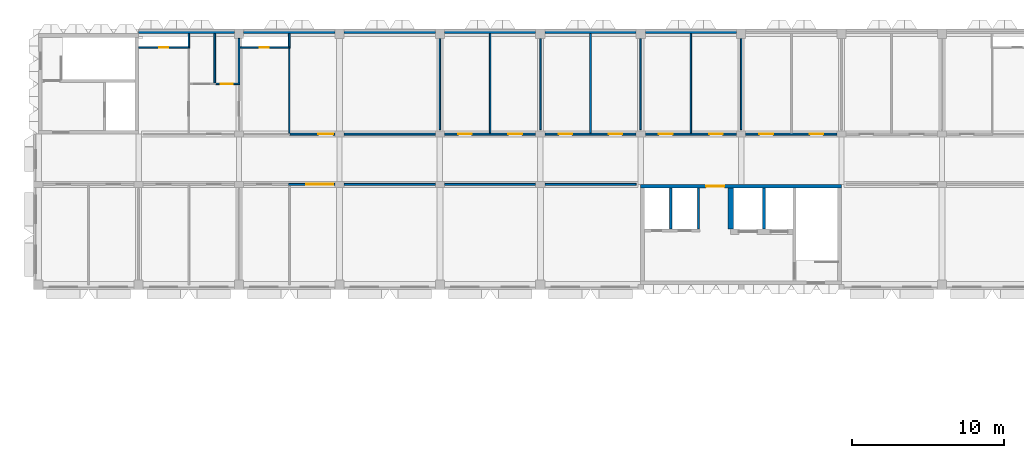
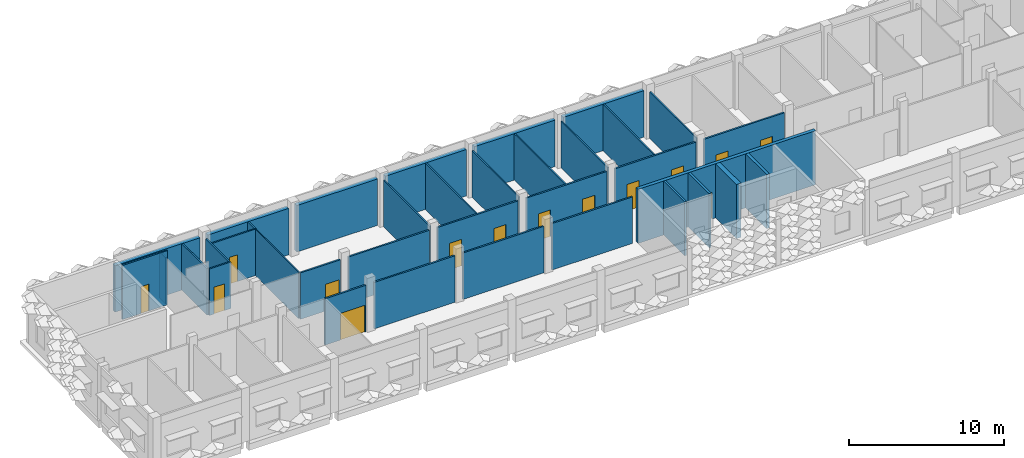
# One storey, part 33 of 85: 36 walls, 14 doors, 14 openings.
"""IFC4 building model written with IfcOpenShell, lengths in metres."""

from ifc_helpers import new_model, si_unit, direction, frame, frame_2d, origin, place, context, subcontext, project, spatial, rectangle, extrude, material, layer, layer_set, type_object, element, fill, save


model = new_model("IFC4")

# Units and contexts
model_context = context("Model", 3, precision=1e-05, world=origin(), true_north=direction((0.0, 1.0)))
body_context = subcontext(model_context, "Body", "Model", "MODEL_VIEW")
ifc_project = project(units=[si_unit("LENGTHUNIT", "METRE"), si_unit("AREAUNIT", "SQUARE_METRE"), si_unit("VOLUMEUNIT", "CUBIC_METRE"), si_unit("PLANEANGLEUNIT", "RADIAN"), si_unit("MASSUNIT", "GRAM", prefix="KILO")], contexts=[model_context])

# Site, building, storey
site_placement = place(None, origin())
site = spatial("IfcSite", under=ifc_project, at=site_placement, CompositionType="ELEMENT")
building_placement = place(site_placement, origin())
building = spatial("IfcBuilding", under=site, at=building_placement, Name="Lantern Court Research Institute", CompositionType="ELEMENT")
storey_placement = place(building_placement, frame((0.0, 0.0, 18.89990234375)))
storey = spatial("IfcBuildingStorey", under=building, at=storey_placement, Name="L04", CompositionType="ELEMENT", Elevation=18.89990234375)

# Walls
ifc_material_1 = material(Name="Gypsum board on metal studs")
ifc_layer_1 = layer(ifc_material_1, 0.10009765625)
ifc_layer_set_1 = layer_set([ifc_layer_1], Name="Gypsum board on metal studs")
wall_type_1 = type_object("IfcWallType", Name="Partition 100 mm", PredefinedType="PARTITIONING", material=ifc_layer_set_1)
wall_1_placement = place(storey_placement, frame((26.39990234375, 92.699951171875, 0.0), z_axis=(0.0, 0.0, 1.0), x_axis=(0.0, 1.0, 0.0)))
element("IfcWall", 1, at=wall_1_placement, inside=storey, type_object=wall_type_1, Name="Wall V6-L04-044", PredefinedType="PARTITIONING", context=body_context, shape_type="SweptSolid", body=[
    extrude(rectangle(XDim=6.0, YDim=0.10009765625, at=frame_2d((3.0, 0.0))), origin(), (0.0, 0.0, 1.0), 3.650146484375),
])
wall_2_placement = place(storey_placement, frame((29.699951171875, 92.462890625, 0.0), z_axis=(0.0, 0.0, 1.0), x_axis=(0.0, 1.0, 0.0)))
element("IfcWall", 2, at=wall_2_placement, inside=storey, type_object=wall_type_1, Name="Wall V6-L04-045", PredefinedType="PARTITIONING", context=body_context, shape_type="SweptSolid", body=[
    extrude(rectangle(XDim=6.537109375, YDim=0.10009765625, at=frame_2d((3.2685546875, 0.0))), origin(), (0.0, 0.0, 1.0), 3.650146484375),
])
wall_3_placement = place(storey_placement, frame((33.0, 92.699951171875, 0.0), z_axis=(0.0, 0.0, 1.0), x_axis=(0.0, 1.0, 0.0)))
element("IfcWall", 3, at=wall_3_placement, inside=storey, type_object=wall_type_1, Name="Wall V6-L04-046", PredefinedType="PARTITIONING", context=body_context, shape_type="SweptSolid", body=[
    extrude(rectangle(XDim=6.0, YDim=0.10009765625, at=frame_2d((3.0, 0.0))), origin(), (0.0, 0.0, 1.0), 3.650146484375),
])
wall_4_placement = place(storey_placement, frame((36.300048828125, 92.462890625, 0.0), z_axis=(0.0, 0.0, 1.0), x_axis=(0.0, 1.0, 0.0)))
element("IfcWall", 4, at=wall_4_placement, inside=storey, type_object=wall_type_1, Name="Wall V6-L04-047", PredefinedType="PARTITIONING", context=body_context, shape_type="SweptSolid", body=[
    extrude(rectangle(XDim=6.537109375, YDim=0.10009765625, at=frame_2d((3.2685546875, 0.0))), origin(), (0.0, 0.0, 1.0), 3.650146484375),
])
wall_5_placement = place(storey_placement, frame((39.60009765625, 92.699951171875, 0.0), z_axis=(0.0, 0.0, 1.0), x_axis=(0.0, 1.0, 0.0)))
element("IfcWall", 5, at=wall_5_placement, inside=storey, type_object=wall_type_1, Name="Wall V6-L04-048", PredefinedType="PARTITIONING", context=body_context, shape_type="SweptSolid", body=[
    extrude(rectangle(XDim=6.0, YDim=0.10009765625, at=frame_2d((3.0, 0.0))), origin(), (0.0, 0.0, 1.0), 3.650146484375),
])
wall_6_placement = place(storey_placement, frame((42.89990234375, 92.462890625, 0.0), z_axis=(0.0, 0.0, 1.0), x_axis=(0.0, 1.0, 0.0)))
element("IfcWall", 6, at=wall_6_placement, inside=storey, type_object=wall_type_1, Name="Wall V6-L04-049", PredefinedType="PARTITIONING", context=body_context, shape_type="SweptSolid", body=[
    extrude(rectangle(XDim=6.537109375, YDim=0.10009765625, at=frame_2d((3.2685546875, 0.0))), origin(), (0.0, 0.0, 1.0), 3.650146484375),
])
wall_7_placement = place(storey_placement, frame((46.199951171875, 92.699951171875, 0.0), z_axis=(0.0, 0.0, 1.0), x_axis=(0.0, 1.0, 0.0)))
element("IfcWall", 7, at=wall_7_placement, inside=storey, type_object=wall_type_1, Name="Wall V6-L04-050", PredefinedType="PARTITIONING", context=body_context, shape_type="SweptSolid", body=[
    extrude(rectangle(XDim=6.0, YDim=0.10009765625, at=frame_2d((3.0, 0.0))), origin(), (0.0, 0.0, 1.0), 3.650146484375),
])
ifc_material_2 = material(Name="Concrete C30/37", Category="concrete")
ifc_layer_2 = layer(ifc_material_2, 0.300048828125)
ifc_layer_set_2 = layer_set([ifc_layer_2], Name="Concrete C30/37")
wall_type_2 = type_object("IfcWallType", Name="Party wall 300 concrete EI 120", PredefinedType="STANDARD", material=ifc_layer_set_2)
wall_8_placement = place(storey_placement, frame((6.60009765625, 99.14990234375, 0.0), z_axis=(0.0, 0.0, 1.0), x_axis=(1.0, 0.0, 0.0)))
element("IfcWall", 8, at=wall_8_placement, inside=storey, type_object=wall_type_2, Name="Exterior wall EW205", PredefinedType="STANDARD", context=body_context, shape_type="SweptSolid", body=[
    extrude(rectangle(XDim=6.2998046875, YDim=0.300048828125, at=frame_2d((3.14990234375, 0.0))), origin(), (0.0, 0.0, 1.0), 3.650146484375),
])
for number, where, z_axis, x_axis, name in (
    (9, (13.5, 99.14990234375, 0.0), (0.0, 0.0, 1.0), (1.0, 0.0, 0.0), "Exterior wall EW206"),
    (10, (20.10009765625, 99.14990234375, 0.0), (0.0, 0.0, 1.0), (1.0, 0.0, 0.0), "Exterior wall EW207"),
    (11, (26.699951171875, 99.14990234375, 0.0), (0.0, 0.0, 1.0), (1.0, 0.0, 0.0), "Exterior wall EW208"),
    (12, (33.300048828125, 99.14990234375, 0.0), (0.0, 0.0, 1.0), (1.0, 0.0, 0.0), "Exterior wall EW209"),
    (13, (39.89990234375, 99.14990234375, 0.0), (0.0, 0.0, 1.0), (1.0, 0.0, 0.0), "Exterior wall EW210"),
):
    element("IfcWall", number, at=place(storey_placement, frame(where, z_axis=z_axis, x_axis=x_axis)), inside=storey, type_object=wall_type_2, Name=name, PredefinedType="STANDARD", context=body_context, shape_type="SweptSolid", body=[
        extrude(rectangle(XDim=6.0, YDim=0.300048828125, at=frame_2d((3.0, 0.0))), origin(), (0.0, 0.0, 1.0), 3.650146484375),
    ])

# Wall, opening, door
ifc_material_3 = material(Name="Gypsum board on metal studs")
ifc_layer_3 = layer(ifc_material_3, 0.125)
ifc_layer_set_3 = layer_set([ifc_layer_3], Name="Gypsum board on metal studs")
wall_type_3 = type_object("IfcWallType", Name="Protected corridor partition 125 mm EI 30", PredefinedType="PARTITIONING", material=ifc_layer_set_3)
wall_9_placement = place(storey_placement, frame((16.449951171875, 89.10009765625, 0.0), z_axis=(0.0, 0.0, 1.0), x_axis=(1.0, 0.0, 0.0)))
wall_9 = element("IfcWall", 14, at=wall_9_placement, inside=storey, type_object=wall_type_3, Name="Wall V6-L04-004", PredefinedType="PARTITIONING", context=body_context, shape_type="SweptSolid", body=[
    extrude(rectangle(XDim=3.050048828125, YDim=0.125, at=frame_2d((1.52490234375, 0.0))), origin(), (0.0, 0.0, 1.0), 3.650146484375),
])
opening_1_placement = place(wall_9_placement, frame((1.14990234375, 0.0, 0.0)))
opening_1 = element("IfcOpeningElement", 15, at=opening_1_placement, cuts=wall_9, Name="Opening D6406", PredefinedType="OPENING", context=body_context, shape_type="SweptSolid", body=[
    extrude(rectangle(XDim=1.800048828125, YDim=2.10009765625, at=frame_2d((0.89990234375, 1.050048828125))), frame((0.0, 0.072509765625, 0.0), z_axis=(0.0, -1.0, 0.0), x_axis=(1.0, 0.0, 0.0)), (0.0, 0.0, 1.0), 0.14501953125),
])
ifc_material_4 = material(Name="Timber veneered door leaf", Category="wood")
door_type_1 = type_object("IfcDoorType", Name="Door 1800 x 2100 reception pair FD30S", OperationType="DOUBLE_DOOR_SINGLE_SWING", PredefinedType="DOOR", material=ifc_material_4)
door_1_placement = place(opening_1_placement, origin())
door_1 = element("IfcDoor", 16, at=door_1_placement, inside=storey, type_object=door_type_1, Name="Door D6406", OperationType="DOUBLE_DOOR_SINGLE_SWING", OverallHeight=2.10009765625, OverallWidth=1.800048828125, PredefinedType="DOOR", context=body_context, shape_type="SweptSolid", body=[
    extrude(rectangle(XDim=1.800048828125, YDim=2.10009765625, at=frame_2d((0.89990234375, 1.050048828125))), frame((0.0, 0.02490234375, 0.0), z_axis=(0.0, -1.0, 0.0), x_axis=(1.0, 0.0, 0.0)), (0.0, 0.0, 1.0), 0.050048828125),
])
fill(opening_1, door_1)

# Walls
for number, where, z_axis, x_axis, name in (
    (17, (20.10009765625, 89.10009765625, 0.0), (0.0, 0.0, 1.0), (1.0, 0.0, 0.0), "Wall V6-L04-005"),
    (18, (26.699951171875, 89.10009765625, 0.0), (0.0, 0.0, 1.0), (1.0, 0.0, 0.0), "Wall V6-L04-006"),
    (19, (33.300048828125, 89.10009765625, 0.0), (0.0, 0.0, 1.0), (1.0, 0.0, 0.0), "Wall V6-L04-007"),
):
    element("IfcWall", number, at=place(storey_placement, frame(where, z_axis=z_axis, x_axis=x_axis)), inside=storey, type_object=wall_type_3, Name=name, PredefinedType="PARTITIONING", context=body_context, shape_type="SweptSolid", body=[
        extrude(rectangle(XDim=6.0, YDim=0.125, at=frame_2d((3.0, 0.0))), origin(), (0.0, 0.0, 1.0), 3.650146484375),
    ])

# Wall, opening, door
wall_10_placement = place(storey_placement, frame((16.5380859375, 92.39990234375, 0.0), z_axis=(0.0, 0.0, 1.0), x_axis=(1.0, 0.0, 0.0)))
wall_10 = element("IfcWall", 20, at=wall_10_placement, inside=storey, type_object=wall_type_3, Name="Wall V6-L04-014", PredefinedType="PARTITIONING", context=body_context, shape_type="SweptSolid", body=[
    extrude(rectangle(XDim=2.9619140625, YDim=0.125, at=frame_2d((1.48095703125, 0.0))), origin(), (0.0, 0.0, 1.0), 3.650146484375),
])
opening_2_placement = place(wall_10_placement, frame((1.862060546875, 0.0, 0.0)))
opening_2 = element("IfcOpeningElement", 21, at=opening_2_placement, cuts=wall_10, Name="Opening D6413", PredefinedType="OPENING", context=body_context, shape_type="SweptSolid", body=[
    extrude(rectangle(XDim=1.0, YDim=2.10009765625, at=frame_2d((0.5, 1.050048828125))), frame((0.0, 0.072509765625, 0.0), z_axis=(0.0, -1.0, 0.0), x_axis=(1.0, 0.0, 0.0)), (0.0, 0.0, 1.0), 0.14501953125),
])
ifc_material_5 = material(Name="Timber veneered door leaf", Category="wood")
door_type_2 = type_object("IfcDoorType", Name="Door 1000 x 2100 meeting room FD30S", OperationType="NOTDEFINED", PredefinedType="DOOR", material=ifc_material_5)
door_2_placement = place(opening_2_placement, origin())
door_2 = element("IfcDoor", 22, at=door_2_placement, inside=storey, type_object=door_type_2, Name="Door D6413", OperationType="SINGLE_SWING_LEFT", OverallHeight=2.10009765625, OverallWidth=1.0, PredefinedType="DOOR", context=body_context, shape_type="SweptSolid", body=[
    extrude(rectangle(XDim=1.0, YDim=2.10009765625, at=frame_2d((0.5, 1.050048828125))), frame((0.0, 0.02490234375, 0.0), z_axis=(0.0, -1.0, 0.0), x_axis=(1.0, 0.0, 0.0)), (0.0, 0.0, 1.0), 0.050048828125),
])
fill(opening_2, door_2)

# Wall
wall_11_placement = place(storey_placement, frame((20.10009765625, 92.39990234375, 0.0), z_axis=(0.0, 0.0, 1.0), x_axis=(1.0, 0.0, 0.0)))
element("IfcWall", 23, at=wall_11_placement, inside=storey, type_object=wall_type_3, Name="Wall V6-L04-015", PredefinedType="PARTITIONING", context=body_context, shape_type="SweptSolid", body=[
    extrude(rectangle(XDim=6.0, YDim=0.125, at=frame_2d((3.0, 0.0))), origin(), (0.0, 0.0, 1.0), 3.650146484375),
])

# Wall, openings, doors
wall_12_placement = place(storey_placement, frame((26.699951171875, 92.39990234375, 0.0), z_axis=(0.0, 0.0, 1.0), x_axis=(1.0, 0.0, 0.0)))
wall_12 = element("IfcWall", 24, at=wall_12_placement, inside=storey, type_object=wall_type_3, Name="Wall V6-L04-016", PredefinedType="PARTITIONING", context=body_context, shape_type="SweptSolid", body=[
    extrude(rectangle(XDim=6.0, YDim=0.125, at=frame_2d((3.0, 0.0))), origin(), (0.0, 0.0, 1.0), 3.650146484375),
])
opening_3_placement = place(wall_12_placement, frame((0.89990234375, 0.0, 0.0)))
opening_3 = element("IfcOpeningElement", 25, at=opening_3_placement, cuts=wall_12, Name="Opening D6414", PredefinedType="OPENING", context=body_context, shape_type="SweptSolid", body=[
    extrude(rectangle(XDim=0.89990234375, YDim=2.10009765625, at=frame_2d((0.449951171875, 1.050048828125))), frame((0.0, 0.072509765625, 0.0), z_axis=(0.0, -1.0, 0.0), x_axis=(1.0, 0.0, 0.0)), (0.0, 0.0, 1.0), 0.14501953125),
])
opening_4_placement = place(wall_12_placement, frame((4.199951171875, 0.0, 0.0)))
opening_4 = element("IfcOpeningElement", 26, at=opening_4_placement, cuts=wall_12, Name="Opening D6415", PredefinedType="OPENING", context=body_context, shape_type="SweptSolid", body=[
    extrude(rectangle(XDim=0.89990234375, YDim=2.10009765625, at=frame_2d((0.449951171875, 1.050048828125))), frame((0.0, 0.072509765625, 0.0), z_axis=(0.0, -1.0, 0.0), x_axis=(1.0, 0.0, 0.0)), (0.0, 0.0, 1.0), 0.14501953125),
])
ifc_material_6 = material(Name="Timber veneered door leaf", Category="wood")
door_type_3 = type_object("IfcDoorType", Name="Door 900 x 2100 timber FD30S", OperationType="NOTDEFINED", PredefinedType="DOOR", material=ifc_material_6)
door_3_placement = place(opening_3_placement, origin())
door_3 = element("IfcDoor", 27, at=door_3_placement, inside=storey, type_object=door_type_3, Name="Door D6414", OperationType="SINGLE_SWING_RIGHT", OverallHeight=2.10009765625, OverallWidth=0.89990234375, PredefinedType="DOOR", context=body_context, shape_type="SweptSolid", body=[
    extrude(rectangle(XDim=0.89990234375, YDim=2.10009765625, at=frame_2d((0.449951171875, 1.050048828125))), frame((0.0, 0.02490234375, 0.0), z_axis=(0.0, -1.0, 0.0), x_axis=(1.0, 0.0, 0.0)), (0.0, 0.0, 1.0), 0.050048828125),
])
fill(opening_3, door_3)
door_4_placement = place(opening_4_placement, origin())
door_4 = element("IfcDoor", 28, at=door_4_placement, inside=storey, type_object=door_type_3, Name="Door D6415", OperationType="SINGLE_SWING_RIGHT", OverallHeight=2.10009765625, OverallWidth=0.89990234375, PredefinedType="DOOR", context=body_context, shape_type="SweptSolid", body=[
    extrude(rectangle(XDim=0.89990234375, YDim=2.10009765625, at=frame_2d((0.449951171875, 1.050048828125))), frame((0.0, 0.02490234375, 0.0), z_axis=(0.0, -1.0, 0.0), x_axis=(1.0, 0.0, 0.0)), (0.0, 0.0, 1.0), 0.050048828125),
])
fill(opening_4, door_4)

wall_13_placement = place(storey_placement, frame((33.300048828125, 92.39990234375, 0.0), z_axis=(0.0, 0.0, 1.0), x_axis=(1.0, 0.0, 0.0)))
wall_13 = element("IfcWall", 29, at=wall_13_placement, inside=storey, type_object=wall_type_3, Name="Wall V6-L04-017", PredefinedType="PARTITIONING", context=body_context, shape_type="SweptSolid", body=[
    extrude(rectangle(XDim=6.0, YDim=0.125, at=frame_2d((3.0, 0.0))), origin(), (0.0, 0.0, 1.0), 3.650146484375),
])
opening_5_placement = place(wall_13_placement, frame((0.89990234375, 0.0, 0.0)))
opening_5 = element("IfcOpeningElement", 30, at=opening_5_placement, cuts=wall_13, Name="Opening D6416", PredefinedType="OPENING", context=body_context, shape_type="SweptSolid", body=[
    extrude(rectangle(XDim=0.89990234375, YDim=2.10009765625, at=frame_2d((0.449951171875, 1.050048828125))), frame((0.0, 0.072509765625, 0.0), z_axis=(0.0, -1.0, 0.0), x_axis=(1.0, 0.0, 0.0)), (0.0, 0.0, 1.0), 0.14501953125),
])
opening_6_placement = place(wall_13_placement, frame((4.199951171875, 0.0, 0.0)))
opening_6 = element("IfcOpeningElement", 31, at=opening_6_placement, cuts=wall_13, Name="Opening D6417", PredefinedType="OPENING", context=body_context, shape_type="SweptSolid", body=[
    extrude(rectangle(XDim=0.89990234375, YDim=2.10009765625, at=frame_2d((0.449951171875, 1.050048828125))), frame((0.0, 0.072509765625, 0.0), z_axis=(0.0, -1.0, 0.0), x_axis=(1.0, 0.0, 0.0)), (0.0, 0.0, 1.0), 0.14501953125),
])
door_5_placement = place(opening_5_placement, origin())
door_5 = element("IfcDoor", 32, at=door_5_placement, inside=storey, type_object=door_type_3, Name="Door D6416", OperationType="SINGLE_SWING_LEFT", OverallHeight=2.10009765625, OverallWidth=0.89990234375, PredefinedType="DOOR", context=body_context, shape_type="SweptSolid", body=[
    extrude(rectangle(XDim=0.89990234375, YDim=2.10009765625, at=frame_2d((0.449951171875, 1.050048828125))), frame((0.0, 0.02490234375, 0.0), z_axis=(0.0, -1.0, 0.0), x_axis=(1.0, 0.0, 0.0)), (0.0, 0.0, 1.0), 0.050048828125),
])
fill(opening_5, door_5)
door_6_placement = place(opening_6_placement, origin())
door_6 = element("IfcDoor", 33, at=door_6_placement, inside=storey, type_object=door_type_3, Name="Door D6417", OperationType="SINGLE_SWING_RIGHT", OverallHeight=2.10009765625, OverallWidth=0.89990234375, PredefinedType="DOOR", context=body_context, shape_type="SweptSolid", body=[
    extrude(rectangle(XDim=0.89990234375, YDim=2.10009765625, at=frame_2d((0.449951171875, 1.050048828125))), frame((0.0, 0.02490234375, 0.0), z_axis=(0.0, -1.0, 0.0), x_axis=(1.0, 0.0, 0.0)), (0.0, 0.0, 1.0), 0.050048828125),
])
fill(opening_6, door_6)

wall_14_placement = place(storey_placement, frame((39.89990234375, 92.39990234375, 0.0), z_axis=(0.0, 0.0, 1.0), x_axis=(1.0, 0.0, 0.0)))
wall_14 = element("IfcWall", 34, at=wall_14_placement, inside=storey, type_object=wall_type_3, Name="Wall V6-L04-018", PredefinedType="PARTITIONING", context=body_context, shape_type="SweptSolid", body=[
    extrude(rectangle(XDim=6.0, YDim=0.125, at=frame_2d((3.0, 0.0))), origin(), (0.0, 0.0, 1.0), 3.650146484375),
])
opening_7_placement = place(wall_14_placement, frame((0.89990234375, 0.0, 0.0)))
opening_7 = element("IfcOpeningElement", 35, at=opening_7_placement, cuts=wall_14, Name="Opening D6418", PredefinedType="OPENING", context=body_context, shape_type="SweptSolid", body=[
    extrude(rectangle(XDim=0.89990234375, YDim=2.10009765625, at=frame_2d((0.449951171875, 1.050048828125))), frame((0.0, 0.072509765625, 0.0), z_axis=(0.0, -1.0, 0.0), x_axis=(1.0, 0.0, 0.0)), (0.0, 0.0, 1.0), 0.14501953125),
])
opening_8_placement = place(wall_14_placement, frame((4.199951171875, 0.0, 0.0)))
opening_8 = element("IfcOpeningElement", 36, at=opening_8_placement, cuts=wall_14, Name="Opening D6419", PredefinedType="OPENING", context=body_context, shape_type="SweptSolid", body=[
    extrude(rectangle(XDim=0.89990234375, YDim=2.10009765625, at=frame_2d((0.449951171875, 1.050048828125))), frame((0.0, 0.072509765625, 0.0), z_axis=(0.0, -1.0, 0.0), x_axis=(1.0, 0.0, 0.0)), (0.0, 0.0, 1.0), 0.14501953125),
])
door_7_placement = place(opening_7_placement, origin())
door_7 = element("IfcDoor", 37, at=door_7_placement, inside=storey, type_object=door_type_3, Name="Door D6418", OperationType="SINGLE_SWING_LEFT", OverallHeight=2.10009765625, OverallWidth=0.89990234375, PredefinedType="DOOR", context=body_context, shape_type="SweptSolid", body=[
    extrude(rectangle(XDim=0.89990234375, YDim=2.10009765625, at=frame_2d((0.449951171875, 1.050048828125))), frame((0.0, 0.02490234375, 0.0), z_axis=(0.0, -1.0, 0.0), x_axis=(1.0, 0.0, 0.0)), (0.0, 0.0, 1.0), 0.050048828125),
])
fill(opening_7, door_7)
door_8_placement = place(opening_8_placement, origin())
door_8 = element("IfcDoor", 38, at=door_8_placement, inside=storey, type_object=door_type_3, Name="Door D6419", OperationType="SINGLE_SWING_LEFT", OverallHeight=2.10009765625, OverallWidth=0.89990234375, PredefinedType="DOOR", context=body_context, shape_type="SweptSolid", body=[
    extrude(rectangle(XDim=0.89990234375, YDim=2.10009765625, at=frame_2d((0.449951171875, 1.050048828125))), frame((0.0, 0.02490234375, 0.0), z_axis=(0.0, -1.0, 0.0), x_axis=(1.0, 0.0, 0.0)), (0.0, 0.0, 1.0), 0.050048828125),
])
fill(opening_8, door_8)

wall_15_placement = place(storey_placement, frame((46.5, 92.39990234375, 0.0), z_axis=(0.0, 0.0, 1.0), x_axis=(1.0, 0.0, 0.0)))
wall_15 = element("IfcWall", 39, at=wall_15_placement, inside=storey, type_object=wall_type_3, Name="Wall V6-L04-019", PredefinedType="PARTITIONING", context=body_context, shape_type="SweptSolid", body=[
    extrude(rectangle(XDim=6.0, YDim=0.125, at=frame_2d((3.0, 0.0))), origin(), (0.0, 0.0, 1.0), 3.650146484375),
])
opening_9_placement = place(wall_15_placement, frame((0.89990234375, 0.0, 0.0)))
opening_9 = element("IfcOpeningElement", 40, at=opening_9_placement, cuts=wall_15, Name="Opening D6420", PredefinedType="OPENING", context=body_context, shape_type="SweptSolid", body=[
    extrude(rectangle(XDim=0.89990234375, YDim=2.10009765625, at=frame_2d((0.449951171875, 1.050048828125))), frame((0.0, 0.072509765625, 0.0), z_axis=(0.0, -1.0, 0.0), x_axis=(1.0, 0.0, 0.0)), (0.0, 0.0, 1.0), 0.14501953125),
])
opening_10_placement = place(wall_15_placement, frame((4.199951171875, 0.0, 0.0)))
opening_10 = element("IfcOpeningElement", 41, at=opening_10_placement, cuts=wall_15, Name="Opening D6421", PredefinedType="OPENING", context=body_context, shape_type="SweptSolid", body=[
    extrude(rectangle(XDim=0.89990234375, YDim=2.10009765625, at=frame_2d((0.449951171875, 1.050048828125))), frame((0.0, 0.072509765625, 0.0), z_axis=(0.0, -1.0, 0.0), x_axis=(1.0, 0.0, 0.0)), (0.0, 0.0, 1.0), 0.14501953125),
])
door_9_placement = place(opening_9_placement, origin())
door_9 = element("IfcDoor", 42, at=door_9_placement, inside=storey, type_object=door_type_3, Name="Door D6420", OperationType="SINGLE_SWING_LEFT", OverallHeight=2.10009765625, OverallWidth=0.89990234375, PredefinedType="DOOR", context=body_context, shape_type="SweptSolid", body=[
    extrude(rectangle(XDim=0.89990234375, YDim=2.10009765625, at=frame_2d((0.449951171875, 1.050048828125))), frame((0.0, 0.02490234375, 0.0), z_axis=(0.0, -1.0, 0.0), x_axis=(1.0, 0.0, 0.0)), (0.0, 0.0, 1.0), 0.050048828125),
])
fill(opening_9, door_9)
door_10_placement = place(opening_10_placement, origin())
door_10 = element("IfcDoor", 43, at=door_10_placement, inside=storey, type_object=door_type_3, Name="Door D6421", OperationType="SINGLE_SWING_LEFT", OverallHeight=2.10009765625, OverallWidth=0.89990234375, PredefinedType="DOOR", context=body_context, shape_type="SweptSolid", body=[
    extrude(rectangle(XDim=0.89990234375, YDim=2.10009765625, at=frame_2d((0.449951171875, 1.050048828125))), frame((0.0, 0.02490234375, 0.0), z_axis=(0.0, -1.0, 0.0), x_axis=(1.0, 0.0, 0.0)), (0.0, 0.0, 1.0), 0.050048828125),
])
fill(opening_10, door_10)

# Wall, opening, door
ifc_material_7 = material(Name="Concrete C40/50", Category="concrete")
ifc_layer_4 = layer(ifc_material_7, 0.25)
ifc_layer_set_4 = layer_set([ifc_layer_4], Name="Concrete C40/50")
wall_type_4 = type_object("IfcWallType", Name="RC core wall 250", PredefinedType="SHEAR", material=ifc_layer_set_4)
wall_16_placement = place(storey_placement, frame((52.800048828125, 88.97509765625, 0.0), z_axis=(0.0, 0.0, 1.0), x_axis=(-1.0, 0.0, 0.0)))
wall_16 = element("IfcWall", 44, at=wall_16_placement, inside=storey, type_object=wall_type_4, Name="North wall of core WC-M", PredefinedType="SHEAR", context=body_context, shape_type="SweptSolid", body=[
    extrude(rectangle(XDim=13.199951171875, YDim=0.25, at=frame_2d((6.60009765625, 0.0))), origin(), (0.0, 0.0, 1.0), 4.25),
])
opening_11_placement = place(wall_16_placement, frame((7.699951171875, 0.0, 0.0)))
opening_11 = element("IfcOpeningElement", 45, at=opening_11_placement, cuts=wall_16, Name="Opening D7248", PredefinedType="OPENING", context=body_context, shape_type="SweptSolid", body=[
    extrude(rectangle(XDim=1.199951171875, YDim=2.10009765625, at=frame_2d((0.60009765625, 1.050048828125))), frame((0.0, 0.135009765625, 0.0), z_axis=(0.0, -1.0, 0.0), x_axis=(1.0, 0.0, 0.0)), (0.0, 0.0, 1.0), 0.27001953125),
])
ifc_material_8 = material(Name="Steel fire door leaf with smoke seals", Category="steel")
door_type_4 = type_object("IfcDoorType", Name="Door 1200 x 2100 fire rated FD60S", OperationType="NOTDEFINED", PredefinedType="DOOR", material=ifc_material_8)
door_11_placement = place(opening_11_placement, origin())
door_11 = element("IfcDoor", 46, at=door_11_placement, inside=storey, type_object=door_type_4, Name="Lobby door", OperationType="SINGLE_SWING_RIGHT", OverallHeight=2.10009765625, OverallWidth=1.199951171875, PredefinedType="DOOR", context=body_context, shape_type="SweptSolid", body=[
    extrude(rectangle(XDim=1.199951171875, YDim=2.10009765625, at=frame_2d((0.60009765625, 1.050048828125))), frame((0.0, 0.02490234375, 0.0), z_axis=(0.0, -1.0, 0.0), x_axis=(1.0, 0.0, 0.0)), (0.0, 0.0, 1.0), 0.050048828125),
])
fill(opening_11, door_11)

# Walls
ifc_material_9 = material(Name="Concrete C40/50", Category="concrete")
ifc_layer_5 = layer(ifc_material_9, 0.14990234375)
ifc_layer_set_5 = layer_set([ifc_layer_5], Name="Concrete C40/50")
wall_type_5 = type_object("IfcWallType", Name="RC shaft wall 150", PredefinedType="SHEAR", material=ifc_layer_set_5)
for number, where, z_axis, x_axis, name in (
    (47, (43.39990234375, 88.85009765625, 0.0), (0.0, 0.0, 1.0), (0.0, -1.0, 0.0), "Riser wall of core WC-M"),
    (48, (41.574951171875, 88.85009765625, 0.0), (0.0, 0.0, 1.0), (0.0, -1.0, 0.0), "Riser wall of core WC-M"),
):
    element("IfcWall", number, at=place(storey_placement, frame(where, z_axis=z_axis, x_axis=x_axis)), inside=storey, type_object=wall_type_5, Name=name, PredefinedType="SHEAR", context=body_context, shape_type="SweptSolid", body=[
        extrude(rectangle(XDim=2.7001953125, YDim=0.14990234375, at=frame_2d((1.35009765625, 0.0))), origin(), (0.0, 0.0, 1.0), 4.25),
    ])
ifc_material_10 = material(Name="Concrete C40/50", Category="concrete")
ifc_layer_6 = layer(ifc_material_10, 0.199951171875)
ifc_layer_set_6 = layer_set([ifc_layer_6], Name="Concrete C40/50")
wall_type_6 = type_object("IfcWallType", Name="RC shaft wall 200", PredefinedType="SHEAR", material=ifc_layer_set_6)
wall_17_placement = place(storey_placement, frame((47.699951171875, 88.85009765625, 0.0), z_axis=(0.0, 0.0, 1.0), x_axis=(0.0, -1.0, 0.0)))
element("IfcWall", 49, at=wall_17_placement, inside=storey, type_object=wall_type_6, Name="Lift shaft wall of core WC-M", PredefinedType="SHEAR", context=body_context, shape_type="SweptSolid", body=[
    extrude(rectangle(XDim=2.7001953125, YDim=0.199951171875, at=frame_2d((1.35009765625, 0.0))), origin(), (0.0, 0.0, 1.0), 4.25),
])
ifc_material_11 = material(Name="Concrete C40/50", Category="concrete")
ifc_layer_7 = layer(ifc_material_11, 0.35009765625)
ifc_layer_set_7 = layer_set([ifc_layer_7], Name="Concrete C40/50")
wall_type_7 = type_object("IfcWallType", Name="RC shaft wall 350", PredefinedType="SHEAR", material=ifc_layer_set_7)
wall_18_placement = place(storey_placement, frame((45.52490234375, 88.85009765625, 0.0), z_axis=(0.0, 0.0, 1.0), x_axis=(0.0, -1.0, 0.0)))
element("IfcWall", 50, at=wall_18_placement, inside=storey, type_object=wall_type_7, Name="Lift shaft wall of core WC-M", PredefinedType="SHEAR", context=body_context, shape_type="SweptSolid", body=[
    extrude(rectangle(XDim=2.7001953125, YDim=0.35009765625, at=frame_2d((1.35009765625, 0.0))), origin(), (0.0, 0.0, 1.0), 4.25),
])

# Wall, opening, door
ifc_material_12 = material(Name="Fire-rated gypsum board on metal studs")
ifc_layer_8 = layer(ifc_material_12, 0.110107421875)
ifc_layer_set_8 = layer_set([ifc_layer_8], Name="Fire-rated gypsum board on metal studs")
wall_type_8 = type_object("IfcWallType", Name="Riser wall 110 mm EI 60", PredefinedType="PARTITIONING", material=ifc_layer_set_8)
wall_19_placement = place(storey_placement, frame((11.655029296875, 95.699951171875, 0.0), z_axis=(0.0, 0.0, 1.0), x_axis=(1.0, 0.0, 0.0)))
wall_19 = element("IfcWall", 51, at=wall_19_placement, inside=storey, type_object=wall_type_8, Name="Wall V6-L04-025", PredefinedType="PARTITIONING", context=body_context, shape_type="SweptSolid", body=[
    extrude(rectangle(XDim=1.599853515625, YDim=0.110107421875, at=frame_2d((0.7998046875, 0.0))), origin(), (0.0, 0.0, 1.0), 3.650146484375),
])
opening_12_placement = place(wall_19_placement, frame((0.344970703125, 0.0, 0.0)))
opening_12 = element("IfcOpeningElement", 52, at=opening_12_placement, cuts=wall_19, Name="Opening D6427", PredefinedType="OPENING", context=body_context, shape_type="SweptSolid", body=[
    extrude(rectangle(XDim=0.800048828125, YDim=2.10009765625, at=frame_2d((0.39990234375, 1.050048828125))), frame((0.0, 0.06494140625, 0.0), z_axis=(0.0, -1.0, 0.0), x_axis=(1.0, 0.0, 0.0)), (0.0, 0.0, 1.0), 0.130126953125),
])
ifc_material_13 = material(Name="Coated metal door leaf")
door_type_5 = type_object("IfcDoorType", Name="Door 800 x 2100 cleaners store FD60", OperationType="NOTDEFINED", PredefinedType="DOOR", material=ifc_material_13)
door_12_placement = place(opening_12_placement, origin())
door_12 = element("IfcDoor", 53, at=door_12_placement, inside=storey, type_object=door_type_5, Name="Door D6427", OperationType="SINGLE_SWING_RIGHT", OverallHeight=2.10009765625, OverallWidth=0.800048828125, PredefinedType="DOOR", context=body_context, shape_type="SweptSolid", body=[
    extrude(rectangle(XDim=0.800048828125, YDim=2.10009765625, at=frame_2d((0.39990234375, 1.050048828125))), frame((0.0, 0.02490234375, 0.0), z_axis=(0.0, -1.0, 0.0), x_axis=(1.0, 0.0, 0.0)), (0.0, 0.0, 1.0), 0.050048828125),
])
fill(opening_12, door_12)

wall_20_placement = place(storey_placement, frame((9.955078125, 98.10009765625, 0.0), z_axis=(0.0, 0.0, 1.0), x_axis=(-1.0, 0.0, 0.0)))
wall_20 = element("IfcWall", 54, at=wall_20_placement, inside=storey, type_object=wall_type_8, Name="Wall V6-L04-028", PredefinedType="PARTITIONING", context=body_context, shape_type="SweptSolid", body=[
    extrude(rectangle(XDim=3.35498046875, YDim=0.110107421875, at=frame_2d((1.677490234375, 0.0))), origin(), (0.0, 0.0, 1.0), 4.25),
])
opening_13_placement = place(wall_20_placement, frame((1.405029296875, 0.0, 0.0)))
opening_13 = element("IfcOpeningElement", 55, at=opening_13_placement, cuts=wall_20, Name="Opening D6430", PredefinedType="OPENING", context=body_context, shape_type="SweptSolid", body=[
    extrude(rectangle(XDim=0.60009765625, YDim=2.10009765625, at=frame_2d((0.300048828125, 1.050048828125))), frame((0.0, 0.06494140625, 0.0), z_axis=(0.0, -1.0, 0.0), x_axis=(1.0, 0.0, 0.0)), (0.0, 0.0, 1.0), 0.130126953125),
])
ifc_material_14 = material(Name="Coated metal door leaf")
door_type_6 = type_object("IfcDoorType", Name="Door 600 x 2100 riser FD60", OperationType="NOTDEFINED", PredefinedType="DOOR", material=ifc_material_14)
door_13_placement = place(opening_13_placement, origin())
door_13 = element("IfcDoor", 56, at=door_13_placement, inside=storey, type_object=door_type_6, Name="Door D6430", OperationType="SINGLE_SWING_RIGHT", OverallHeight=2.10009765625, OverallWidth=0.60009765625, PredefinedType="DOOR", context=body_context, shape_type="SweptSolid", body=[
    extrude(rectangle(XDim=0.60009765625, YDim=2.10009765625, at=frame_2d((0.300048828125, 1.050048828125))), frame((0.0, 0.02490234375, 0.0), z_axis=(0.0, -1.0, 0.0), x_axis=(1.0, 0.0, 0.0)), (0.0, 0.0, 1.0), 0.050048828125),
])
fill(opening_13, door_13)

wall_21_placement = place(storey_placement, frame((16.554931640625, 98.10009765625, 0.0), z_axis=(0.0, 0.0, 1.0), x_axis=(-1.0, 0.0, 0.0)))
wall_21 = element("IfcWall", 57, at=wall_21_placement, inside=storey, type_object=wall_type_8, Name="Wall V6-L04-029", PredefinedType="PARTITIONING", context=body_context, shape_type="SweptSolid", body=[
    extrude(rectangle(XDim=3.300048828125, YDim=0.110107421875, at=frame_2d((1.64990234375, 0.0))), origin(), (0.0, 0.0, 1.0), 3.650146484375),
])
opening_14_placement = place(wall_21_placement, frame((1.405029296875, 0.0, 0.0)))
opening_14 = element("IfcOpeningElement", 58, at=opening_14_placement, cuts=wall_21, Name="Opening D6431", PredefinedType="OPENING", context=body_context, shape_type="SweptSolid", body=[
    extrude(rectangle(XDim=0.60009765625, YDim=2.10009765625, at=frame_2d((0.300048828125, 1.050048828125))), frame((0.0, 0.06494140625, 0.0), z_axis=(0.0, -1.0, 0.0), x_axis=(1.0, 0.0, 0.0)), (0.0, 0.0, 1.0), 0.130126953125),
])
door_14_placement = place(opening_14_placement, origin())
door_14 = element("IfcDoor", 59, at=door_14_placement, inside=storey, type_object=door_type_6, Name="Door D6431", OperationType="SINGLE_SWING_RIGHT", OverallHeight=2.10009765625, OverallWidth=0.60009765625, PredefinedType="DOOR", context=body_context, shape_type="SweptSolid", body=[
    extrude(rectangle(XDim=0.60009765625, YDim=2.10009765625, at=frame_2d((0.300048828125, 1.050048828125))), frame((0.0, 0.02490234375, 0.0), z_axis=(0.0, -1.0, 0.0), x_axis=(1.0, 0.0, 0.0)), (0.0, 0.0, 1.0), 0.050048828125),
])
fill(opening_14, door_14)

# Walls
wall_22_placement = place(storey_placement, frame((9.89990234375, 98.155029296875, 0.0), z_axis=(0.0, 0.0, 1.0), x_axis=(0.0, 1.0, 0.0)))
element("IfcWall", 60, at=wall_22_placement, inside=storey, type_object=wall_type_8, Name="Wall V6-L04-036", PredefinedType="PARTITIONING", context=body_context, shape_type="SweptSolid", body=[
    extrude(rectangle(XDim=0.844970703125, YDim=0.110107421875, at=frame_2d((0.42236328125, 0.0))), origin(), (0.0, 0.0, 1.0), 3.650146484375),
])
wall_23_placement = place(storey_placement, frame((11.60009765625, 95.7548828125, 0.0), z_axis=(0.0, 0.0, 1.0), x_axis=(0.0, 1.0, 0.0)))
element("IfcWall", 61, at=wall_23_placement, inside=storey, type_object=wall_type_8, Name="Wall V6-L04-037", PredefinedType="PARTITIONING", context=body_context, shape_type="SweptSolid", body=[
    extrude(rectangle(XDim=3.2451171875, YDim=0.110107421875, at=frame_2d((1.62255859375, 0.0))), origin(), (0.0, 0.0, 1.0), 3.650146484375),
])
wall_24_placement = place(storey_placement, frame((13.199951171875, 95.7548828125, 0.0), z_axis=(0.0, 0.0, 1.0), x_axis=(0.0, 1.0, 0.0)))
element("IfcWall", 62, at=wall_24_placement, inside=storey, type_object=wall_type_8, Name="Wall V6-L04-040", PredefinedType="PARTITIONING", context=body_context, shape_type="SweptSolid", body=[
    extrude(rectangle(XDim=2.945068359375, YDim=0.110107421875, at=frame_2d((1.47265625, 0.0))), origin(), (0.0, 0.0, 1.0), 3.650146484375),
])
wall_25_placement = place(storey_placement, frame((16.5, 98.155029296875, 0.0), z_axis=(0.0, 0.0, 1.0), x_axis=(0.0, 1.0, 0.0)))
element("IfcWall", 63, at=wall_25_placement, inside=storey, type_object=wall_type_8, Name="Wall V6-L04-043", PredefinedType="PARTITIONING", context=body_context, shape_type="SweptSolid", body=[
    extrude(rectangle(XDim=0.844970703125, YDim=0.110107421875, at=frame_2d((0.42236328125, 0.0))), origin(), (0.0, 0.0, 1.0), 3.650146484375),
])
ifc_material_15 = material(Name="Gypsum board on metal studs")
ifc_layer_9 = layer(ifc_material_15, 0.074951171875)
ifc_layer_set_9 = layer_set([ifc_layer_9], Name="Gypsum board on metal studs")
wall_type_9 = type_object("IfcWallType", Name="Service partition 75 mm", PredefinedType="PARTITIONING", material=ifc_layer_set_9)
wall_26_placement = place(storey_placement, frame((16.5, 92.462890625, 0.0), z_axis=(0.0, 0.0, 1.0), x_axis=(0.0, 1.0, 0.0)))
element("IfcWall", 64, at=wall_26_placement, inside=storey, type_object=wall_type_9, Name="Wall V6-L04-042", PredefinedType="PARTITIONING", context=body_context, shape_type="SweptSolid", body=[
    extrude(rectangle(XDim=5.58203125, YDim=0.074951171875, at=frame_2d((2.791015625, 0.0))), origin(), (0.0, 0.0, 1.0), 3.650146484375),
])

save(model, "model.ifc")
